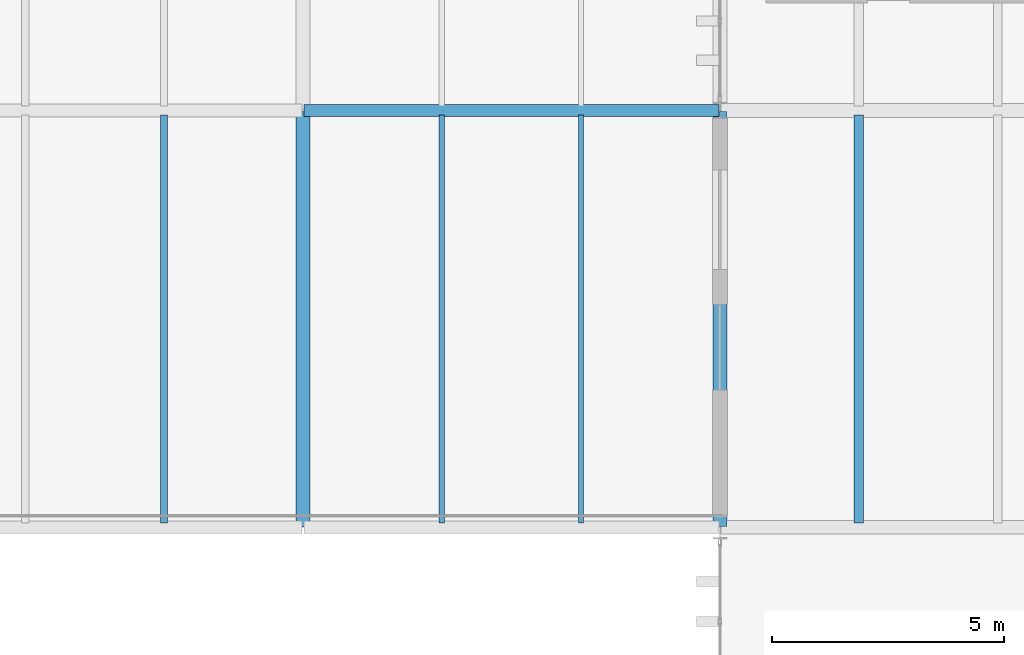
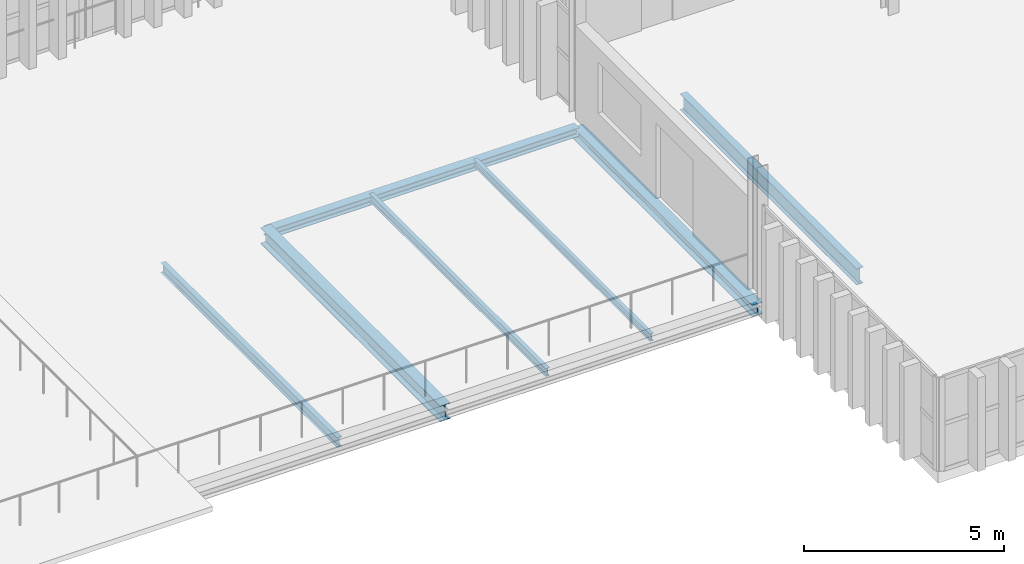
# One storey, part 33 of 102: 7 beams.
"""IFC4 building model written with IfcOpenShell, lengths in metres."""

import ifcopenshell
import ifcopenshell.guid

model = None  # the IFC model being written
_history = None  # IfcOwnerHistory: only IFC2X3 demands one
_inside = {}  # id of a spatial element -> (the spatial element, [elements in it])
_under = {}  # id of a project, library or spatial element -> (it, [spatial elements below it])
_declared = {}  # id of a project -> (the project, [libraries it declares])
_typed = {}  # id of a type object -> (the type object, [elements of that type])
_made_of = {}  # id of a material, layer set ... -> (it, [elements and type objects made of it])


def new_model(schema):
    """Start an empty IFC model of exactly this schema.

    Asked for "IFC4X3", IfcOpenShell would pick the latest addendum, in which some entities
    have other attributes; the version numbers below select the first issue.
    IFC2X3 requires an IfcOwnerHistory on every rooted entity: one is made here for all.
    """
    global model, _history
    if schema == "IFC4X3":
        model = ifcopenshell.file(schema_version=(4, 3, 0, 0))
    else:
        model = ifcopenshell.file(schema=schema)
    _inside.clear()
    _under.clear()
    _declared.clear()
    _typed.clear()
    _made_of.clear()
    _history = None
    if model.schema == "IFC2X3":
        org = make("IfcOrganization", Name="unknown")
        user = make(
            "IfcPersonAndOrganization",
            ThePerson=make("IfcPerson", FamilyName="unknown"),
            TheOrganization=org,
        )
        app = make(
            "IfcApplication",
            ApplicationDeveloper=org,
            Version="unknown",
            ApplicationFullName="unknown",
            ApplicationIdentifier="unknown",
        )
        _history = make(
            "IfcOwnerHistory",
            OwningUser=user,
            OwningApplication=app,
            ChangeAction="ADDED",
            CreationDate=0,
        )
    return model


def make(cls, **values):
    """One entity of the class cls with the attributes given. An attribute that is None is left unset."""
    return model.create_entity(
        cls, **{name: value for name, value in values.items() if value is not None}
    )


def rooted(cls, **values):
    """An entity with a GlobalId (a new one), such as an element, a storey or a relation."""
    return make(cls, GlobalId=ifcopenshell.guid.new(), OwnerHistory=_history, **values)


def si_unit(unit_type, name, prefix=None):
    """IfcSIUnit, for example si_unit("LENGTHUNIT", "METRE", prefix="MILLI")."""
    return make("IfcSIUnit", UnitType=unit_type, Prefix=prefix, Name=name)


def assignment(units):
    """IfcUnitAssignment: the units of a project."""
    return None if units is None else make("IfcUnitAssignment", Units=units)


def point(xyz):
    """IfcCartesianPoint."""
    return None if xyz is None else make("IfcCartesianPoint", Coordinates=xyz)


def direction(xyz):
    """IfcDirection."""
    return None if xyz is None else make("IfcDirection", DirectionRatios=xyz)


def frame(location, z_axis=None, x_axis=None):
    """IfcAxis2Placement3D, a coordinate frame: its origin and axes. An axis left out is left unset."""
    return make(
        "IfcAxis2Placement3D",
        Location=point(location),
        Axis=direction(z_axis),
        RefDirection=direction(x_axis),
    )


def frame_2d(location, x_axis=None):
    """IfcAxis2Placement2D, a coordinate frame in the plane: its origin and x axis."""
    return make(
        "IfcAxis2Placement2D", Location=point(location), RefDirection=direction(x_axis)
    )


def origin():
    """The frame at (0, 0, 0) with its axes left unset."""
    return frame((0.0, 0.0, 0.0))


def origin_2d():
    """The frame at (0, 0) in the plane with its x axis left unset."""
    return frame_2d((0.0, 0.0))


def place(relative_to, where):
    """IfcLocalPlacement: puts the frame where relative to a parent placement (None: the world)."""
    return make(
        "IfcLocalPlacement", PlacementRelTo=relative_to, RelativePlacement=where
    )


def context(
    kind, dimensions, precision=None, world=None, true_north=None, identifier=None
):
    """IfcGeometricRepresentationContext, for example the 3D "Model" context."""
    return make(
        "IfcGeometricRepresentationContext",
        ContextIdentifier=identifier,
        ContextType=kind,
        CoordinateSpaceDimension=dimensions,
        Precision=precision,
        WorldCoordinateSystem=world,
        TrueNorth=true_north,
    )


def subcontext(parent, identifier, kind, view, scale=None):
    """IfcGeometricRepresentationSubContext, for example "Body" below "Model"."""
    return make(
        "IfcGeometricRepresentationSubContext",
        ContextIdentifier=identifier,
        ContextType=kind,
        ParentContext=parent,
        TargetScale=scale,
        TargetView=view,
    )


def project(units=None, contexts=None):
    """IfcProject with its units and contexts."""
    return rooted(
        "IfcProject",
        Name="project",
        RepresentationContexts=contexts,
        UnitsInContext=assignment(units),
    )


def spatial(cls, under=None, at=None, **own):
    """A site, building, storey or space (cls), placed at a placement, below another one or the project."""
    s = rooted(cls, ObjectPlacement=at, **own)
    if under is not None:
        _under.setdefault(under.id(), (under, []))[1].append(s)
    return s


def profile(cls, at=None, kind="AREA", **sizes):
    """A parametric profile (cls). Its sizes go by their IFC names, for example OverallWidth=200.0."""
    return make(cls, ProfileType=kind, Position=at, **sizes)


def i_section(**sizes):
    """IfcIShapeProfileDef."""
    return profile("IfcIShapeProfileDef", **sizes)


def extrude(swept, where, along, depth):
    """IfcExtrudedAreaSolid: the profile swept, set in the frame where, extruded along a direction by depth."""
    return make(
        "IfcExtrudedAreaSolid",
        SweptArea=swept,
        Position=where,
        ExtrudedDirection=direction(along),
        Depth=depth,
    )


def shape(context_of_items, identifier, shape_type, items):
    """IfcShapeRepresentation: the items that make up one representation, for example the "Body"."""
    return make(
        "IfcShapeRepresentation",
        ContextOfItems=context_of_items,
        RepresentationIdentifier=identifier,
        RepresentationType=shape_type,
        Items=items,
    )


def material(Name=None, Category=None):
    """IfcMaterial."""
    return make("IfcMaterial", Name=Name, Category=Category)


def material_profile(
    of_material, cross_section, Name=None, Category=None, Priority=None
):
    """IfcMaterialProfile: a cross section and its material."""
    return make(
        "IfcMaterialProfile",
        Name=Name,
        Material=of_material,
        Profile=cross_section,
        Priority=Priority,
        Category=Category,
    )


def profile_set(profiles, Name=None, composite=None):
    """IfcMaterialProfileSet."""
    return make(
        "IfcMaterialProfileSet",
        Name=Name,
        MaterialProfiles=profiles,
        CompositeProfile=composite,
    )


def made_of(thing, what):
    """Note that an element or type object is made of a material, layer set ...; save() writes the relation."""
    if what is not None:
        _made_of.setdefault(what.id(), (what, []))[1].append(thing)
    return thing


def type_object(cls, material=None, **own):
    """A type object (cls), such as IfcWallType, which elements share."""
    return made_of(rooted(cls, **own), material)


def element(
    cls,
    number,
    at=None,
    inside=None,
    cuts=None,
    type_object=None,
    material=None,
    context=None,
    identifier="Body",
    shape_type=None,
    held_by="IfcProductDefinitionShape",
    body=None,
    shapes=None,
    **own,
):
    """One element of the class cls, such as IfcWall. Its Tag is "e" and its number.

    at: its placement. inside: the storey or other place that contains it. cuts: it is an
    opening in that element (IfcRelVoidsElement). A single representation is given by context,
    identifier, shape_type and body (its items); several are given by shapes. held_by: the class
    of the entity that holds the representations. save() writes the other relations.
    """
    e = rooted(cls, Tag="e%d" % number, ObjectPlacement=at, **own)
    if body is not None:
        shapes = [shape(context, identifier, shape_type, body)]
    if shapes is not None:
        e.Representation = make(held_by, Representations=shapes)
    if inside is not None:
        _inside.setdefault(inside.id(), (inside, []))[1].append(e)
    if cuts is not None:
        rooted(
            "IfcRelVoidsElement", RelatingBuildingElement=cuts, RelatedOpeningElement=e
        )
    if type_object is not None:
        _typed.setdefault(type_object.id(), (type_object, []))[1].append(e)
    return made_of(e, material)


def aggregate(whole, parts):
    """IfcRelAggregates: a whole, such as a stair, and the parts it consists of."""
    return rooted("IfcRelAggregates", RelatingObject=whole, RelatedObjects=parts)


def save(model, path):
    """Write the relations noted so far, then the file.

    IfcRelAggregates (storeys below a building ...), IfcRelContainedInSpatialStructure (elements
    in a storey), IfcRelDefinesByType, IfcRelAssociatesMaterial and IfcRelDeclares: one each for
    every whole, place, type object, material and project.
    """
    for whole, parts in _under.values():
        aggregate(whole, parts)
    for where, things in _inside.values():
        rooted(
            "IfcRelContainedInSpatialStructure",
            RelatedElements=things,
            RelatingStructure=where,
        )
    for kind, things in _typed.values():
        rooted("IfcRelDefinesByType", RelatedObjects=things, RelatingType=kind)
    for what, things in _made_of.values():
        rooted("IfcRelAssociatesMaterial", RelatedObjects=things, RelatingMaterial=what)
    for by, libraries in _declared.values():
        rooted("IfcRelDeclares", RelatingContext=by, RelatedDefinitions=libraries)
    model.write(path)


model = new_model("IFC4")

# Units and contexts
model_context = context("Model", 3, precision=1e-05, world=origin(), true_north=direction((0.0, 1.0)))
body_context = subcontext(model_context, "Body", "Model", "MODEL_VIEW")
ifc_project = project(units=[si_unit("LENGTHUNIT", "METRE"), si_unit("AREAUNIT", "SQUARE_METRE"), si_unit("VOLUMEUNIT", "CUBIC_METRE"), si_unit("PLANEANGLEUNIT", "RADIAN"), si_unit("MASSUNIT", "GRAM", prefix="KILO")], contexts=[model_context])

# Site, building, storey
site_placement = place(None, origin())
site = spatial("IfcSite", under=ifc_project, at=site_placement, CompositionType="ELEMENT")
building_placement = place(site_placement, origin())
building = spatial("IfcBuilding", under=site, at=building_placement, Name="Barlavento Convention Centre", CompositionType="ELEMENT")
storey_placement = place(building_placement, frame((0.0, 0.0, 22.800048828125)))
storey = spatial("IfcBuildingStorey", under=building, at=storey_placement, Name="L04", CompositionType="ELEMENT", Elevation=22.800048828125)

# Beams
ifc_material = material(Name="Steel S355", Category="steel")
ifc_material_profile_1 = material_profile(ifc_material, i_section(OverallWidth=0.110107421875, OverallDepth=0.219970703125, WebThickness=0.005859375, FlangeThickness=0.00927734375, FilletRadius=0.011962890625, at=origin_2d()), Name="IPE 220")
ifc_profile_set_1 = profile_set([ifc_material_profile_1], Name="Steel S355")
beam_type_1 = type_object("IfcBeamType", Name="STR-BM-JST-IPE220", PredefinedType="JOIST", material=ifc_profile_set_1)
beam_1_placement = place(storey_placement, frame((150.0, 36.094970703125, -0.3701171875), z_axis=(0.0, 1.0, 0.0), x_axis=(-1.0, 0.0, 0.0)))
element("IfcBeam", 1, at=beam_1_placement, inside=storey, type_object=beam_type_1, Name="L04 composite floor joist SJ10", PredefinedType="JOIST", context=body_context, shape_type="SweptSolid", body=[
    extrude(i_section(OverallWidth=0.110107421875, OverallDepth=0.219970703125, WebThickness=0.005859375, FlangeThickness=0.00927734375, FilletRadius=0.011962890625, at=origin_2d()), origin(), (0.0, 0.0, 1.0), 8.81005859375),
])
ifc_material_profile_2 = material_profile(ifc_material, i_section(OverallWidth=0.1201171875, OverallDepth=0.239990234375, WebThickness=0.006103515625, FlangeThickness=0.009765625, FilletRadius=0.014892578125, at=origin_2d()), Name="IPE 240")
ifc_profile_set_2 = profile_set([ifc_material_profile_2], Name="Steel S355")
beam_type_2 = type_object("IfcBeamType", Name="STR-BM-JST-IPE240", PredefinedType="JOIST", material=ifc_profile_set_2)
beam_2_placement = place(storey_placement, frame((147.0, 36.094970703125, -0.380126953125), z_axis=(0.0, 1.0, 0.0), x_axis=(-1.0, 0.0, 0.0)))
element("IfcBeam", 2, at=beam_2_placement, inside=storey, type_object=beam_type_2, Name="L04 composite floor joist SJ09", PredefinedType="JOIST", context=body_context, shape_type="SweptSolid", body=[
    extrude(i_section(OverallWidth=0.1201171875, OverallDepth=0.239990234375, WebThickness=0.006103515625, FlangeThickness=0.009765625, FilletRadius=0.014892578125, at=origin_2d()), origin(), (0.0, 0.0, 1.0), 8.81005859375),
])
ifc_material_profile_3 = material_profile(ifc_material, i_section(OverallWidth=0.14990234375, OverallDepth=0.300048828125, WebThickness=0.007080078125, FlangeThickness=0.0107421875, FilletRadius=0.014892578125, at=origin_2d()), Name="IPE 300")
ifc_profile_set_3 = profile_set([ifc_material_profile_3], Name="Steel S355")
beam_type_3 = type_object("IfcBeamType", Name="STR-BM-JST-IPE300", PredefinedType="JOIST", material=ifc_profile_set_3)
beam_3_placement = place(storey_placement, frame((141.0, 36.094970703125, -0.41015625), z_axis=(0.0, 1.0, 0.0), x_axis=(-1.0, 0.0, 0.0)))
element("IfcBeam", 3, at=beam_3_placement, inside=storey, type_object=beam_type_3, Name="L04 composite floor joist SJ07", PredefinedType="JOIST", context=body_context, shape_type="SweptSolid", body=[
    extrude(i_section(OverallWidth=0.14990234375, OverallDepth=0.300048828125, WebThickness=0.007080078125, FlangeThickness=0.0107421875, FilletRadius=0.014892578125, at=origin_2d()), origin(), (0.0, 0.0, 1.0), 8.81005859375),
])
ifc_material_profile_4 = material_profile(ifc_material, i_section(OverallWidth=0.199951171875, OverallDepth=0.5, WebThickness=0.01025390625, FlangeThickness=0.01611328125, FilletRadius=0.02099609375, at=origin_2d()), Name="IPE 500")
ifc_profile_set_4 = profile_set([ifc_material_profile_4], Name="Steel S355")
beam_type_4 = type_object("IfcBeamType", Name="STR-BM-JST-IPE500", PredefinedType="JOIST", material=ifc_profile_set_4)
beam_4_placement = place(storey_placement, frame((156.0, 36.094970703125, -0.60009765625), z_axis=(0.0, 1.0, 0.0), x_axis=(-1.0, 0.0, 0.0)))
element("IfcBeam", 4, at=beam_4_placement, inside=storey, type_object=beam_type_4, Name="L04 composite floor joist SJ02", PredefinedType="JOIST", context=body_context, shape_type="SweptSolid", body=[
    extrude(i_section(OverallWidth=0.199951171875, OverallDepth=0.5, WebThickness=0.01025390625, FlangeThickness=0.01611328125, FilletRadius=0.02099609375, at=origin_2d()), origin(), (0.0, 0.0, 1.0), 8.81005859375),
])
ifc_material_profile_5 = material_profile(ifc_material, i_section(OverallWidth=0.300048828125, OverallDepth=0.35009765625, WebThickness=0.010009765625, FlangeThickness=0.017578125, FilletRadius=0.027099609375, at=origin_2d()), Name="HEA 360")
ifc_profile_set_5 = profile_set([ifc_material_profile_5], Name="Steel S355")
beam_type_5 = type_object("IfcBeamType", Name="STR-BM-PRI-HEA360", PredefinedType="BEAM", material=ifc_profile_set_5)
beam_5_placement = place(storey_placement, frame((153.0, 36.02001953125, -0.525146484375), z_axis=(0.0, 1.0, 0.0), x_axis=(-1.0, 0.0, 0.0)))
element("IfcBeam", 5, at=beam_5_placement, inside=storey, type_object=beam_type_5, Name="L04 grid girder BG23", PredefinedType="BEAM", context=body_context, shape_type="SweptSolid", body=[
    extrude(i_section(OverallWidth=0.300048828125, OverallDepth=0.35009765625, WebThickness=0.010009765625, FlangeThickness=0.017578125, FilletRadius=0.027099609375, at=origin_2d()), origin(), (0.0, 0.0, 1.0), 8.9599609375),
])
ifc_material_profile_6 = material_profile(ifc_material, i_section(OverallWidth=0.300048828125, OverallDepth=0.489990234375, WebThickness=0.011962890625, FlangeThickness=0.02294921875, FilletRadius=0.027099609375, at=origin_2d()), Name="HEA 500")
ifc_profile_set_6 = profile_set([ifc_material_profile_6], Name="Steel S355")
beam_type_6 = type_object("IfcBeamType", Name="STR-BM-PRI-HEA500", PredefinedType="BEAM", material=ifc_profile_set_6)
beam_6_placement = place(storey_placement, frame((144.0, 36.02001953125, -0.505126953125), z_axis=(0.0, 1.0, 0.0), x_axis=(-1.0, 0.0, 0.0)))
element("IfcBeam", 6, at=beam_6_placement, inside=storey, type_object=beam_type_6, Name="L04 grid girder BG20", PredefinedType="BEAM", context=body_context, shape_type="SweptSolid", body=[
    extrude(i_section(OverallWidth=0.300048828125, OverallDepth=0.489990234375, WebThickness=0.011962890625, FlangeThickness=0.02294921875, FilletRadius=0.027099609375, at=origin_2d()), origin(), (0.0, 0.0, 1.0), 8.9599609375),
])
ifc_material_profile_7 = material_profile(ifc_material, i_section(OverallWidth=0.260009765625, OverallDepth=0.260009765625, WebThickness=0.010009765625, FlangeThickness=0.017578125, FilletRadius=0.02392578125, at=origin_2d()), Name="HEB 260")
ifc_profile_set_7 = profile_set([ifc_material_profile_7], Name="Steel S355")
beam_type_7 = type_object("IfcBeamType", Name="STR-BM-PRI-HEB260", PredefinedType="BEAM", material=ifc_profile_set_7)
beam_7_placement = place(storey_placement, frame((144.02001953125, 45.0, -0.47998046875), z_axis=(1.0, 0.0, 0.0), x_axis=(0.0, 1.0, 0.0)))
element("IfcBeam", 7, at=beam_7_placement, inside=storey, type_object=beam_type_7, Name="L04 primary girder BG16", PredefinedType="BEAM", context=body_context, shape_type="SweptSolid", body=[
    extrude(i_section(OverallWidth=0.260009765625, OverallDepth=0.260009765625, WebThickness=0.010009765625, FlangeThickness=0.017578125, FilletRadius=0.02392578125, at=origin_2d()), origin(), (0.0, 0.0, 1.0), 8.9599609375),
])

save(model, "model.ifc")
